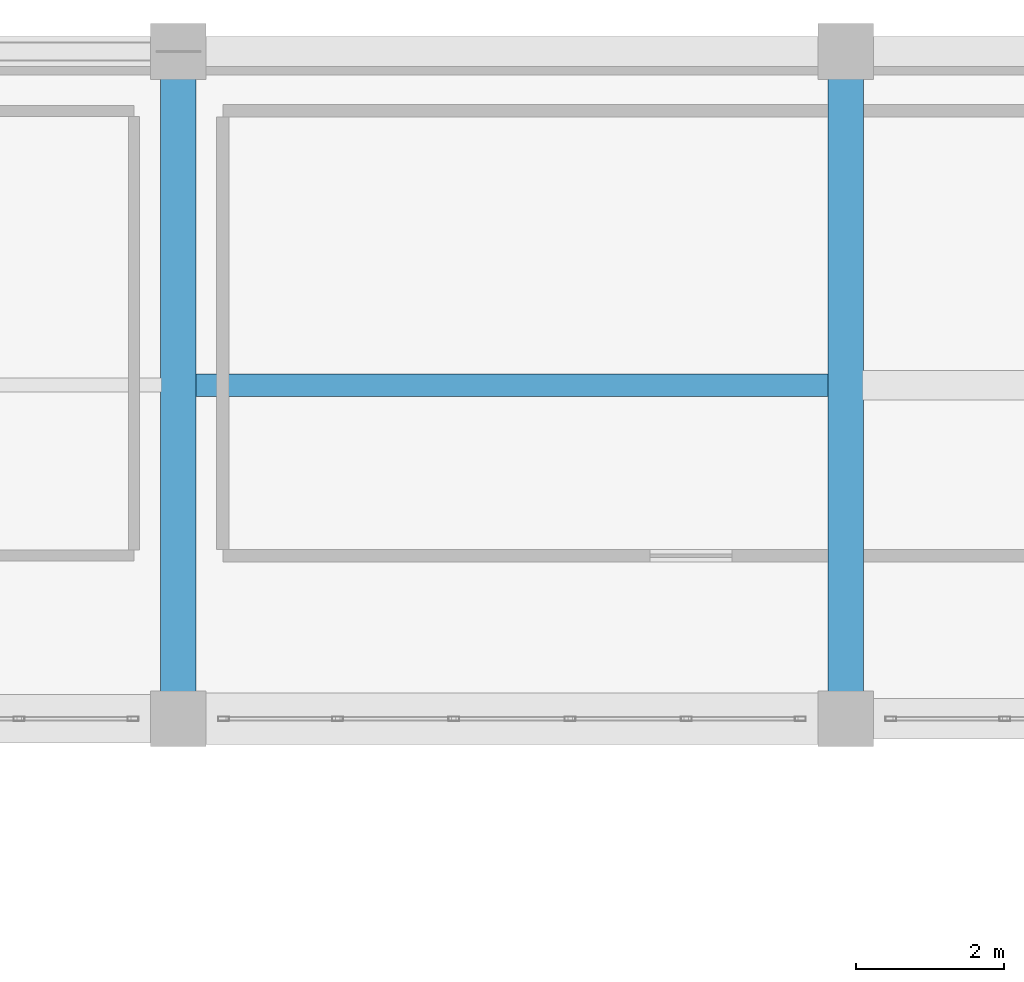
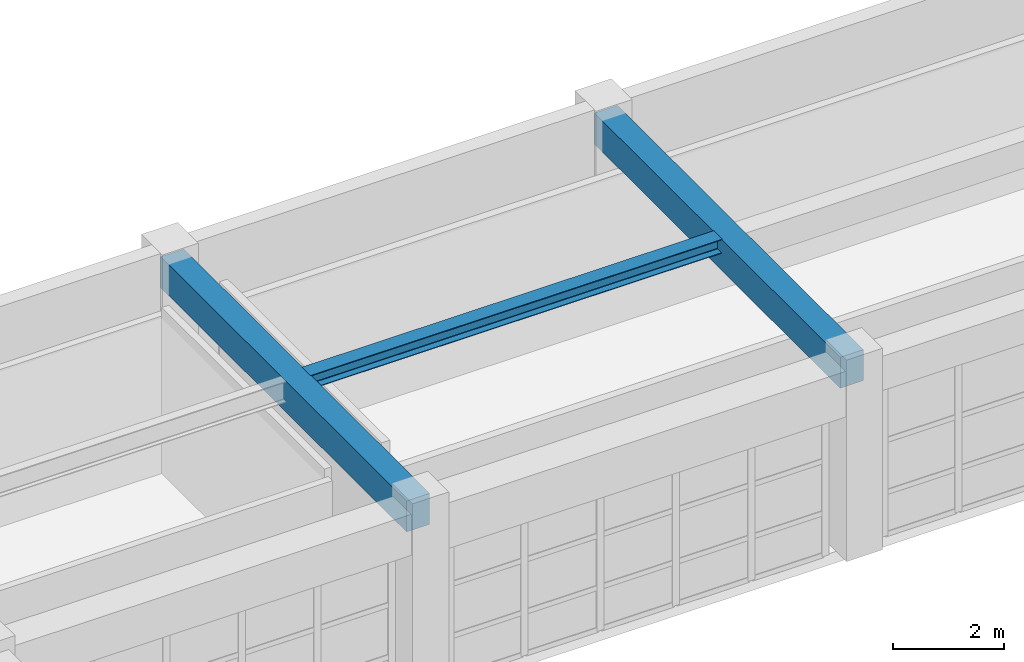
# One storey, part 69 of 133: 3 beams.
"""IFC4 building model written with IfcOpenShell, lengths in metres."""

from ifc_helpers import new_model, si_unit, direction, frame, origin, origin_2d, place, context, subcontext, project, spatial, rectangle, i_section, extrude, material, material_profile, profile_set, type_object, element, save


model = new_model("IFC4")

# Units and contexts
model_context = context("Model", 3, precision=1e-05, world=origin(), true_north=direction((0.0, 1.0)))
body_context = subcontext(model_context, "Body", "Model", "MODEL_VIEW")
ifc_project = project(units=[si_unit("LENGTHUNIT", "METRE"), si_unit("AREAUNIT", "SQUARE_METRE"), si_unit("VOLUMEUNIT", "CUBIC_METRE"), si_unit("PLANEANGLEUNIT", "RADIAN"), si_unit("MASSUNIT", "GRAM", prefix="KILO")], contexts=[model_context])

# Site, building, storey
site_placement = place(None, origin())
site = spatial("IfcSite", under=ifc_project, at=site_placement, CompositionType="ELEMENT")
building_placement = place(site_placement, origin())
building = spatial("IfcBuilding", under=site, at=building_placement, Name="Miravela Opera House", CompositionType="ELEMENT")
storey_placement = place(building_placement, frame((0.0, 0.0, 5.10009765625)))
storey = spatial("IfcBuildingStorey", under=building, at=storey_placement, Name="L01", CompositionType="ELEMENT", Elevation=5.10009765625)

# Beams
ifc_material_1 = material(Name="Concrete C35/45", Category="concrete")
ifc_material_profile_1 = material_profile(ifc_material_1, rectangle(XDim=0.47998046875, YDim=0.679931640625, at=origin_2d()), Name="RC-BM-480X680")
ifc_profile_set_1 = profile_set([ifc_material_profile_1])
beam_type_1 = type_object("IfcBeamType", Name="STR-BM-RC480X680", PredefinedType="BEAM", material=ifc_profile_set_1)
for number, where, z_axis, x_axis, name in (
    (1, (36.0, 103.080078125, 3.81982421875), (0.0, 1.0, 0.0), (-1.0, 0.0, 0.0), "Floor Girder L01 5/L-M"),
    (2, (45.0, 103.080078125, 3.81982421875), (0.0, 1.0, 0.0), (-1.0, 0.0, 0.0), "Floor Girder L01 6/L-M"),
):
    element("IfcBeam", number, at=place(storey_placement, frame(where, z_axis=z_axis, x_axis=x_axis)), inside=storey, type_object=beam_type_1, Name=name, PredefinedType="BEAM", context=body_context, shape_type="SweptSolid", body=[
        extrude(rectangle(XDim=0.47998046875, YDim=0.679931640625, at=origin_2d()), origin(), (0.0, 0.0, 1.0), 8.83984375),
    ])
ifc_material_2 = material(Name="Structural steel ASTM A992 Gr. 50", Category="steel")
ifc_material_profile_2 = material_profile(ifc_material_2, i_section(OverallWidth=0.304931640625, OverallDepth=0.30810546875, WebThickness=0.010009765625, FlangeThickness=0.015380859375, FilletRadius=0.013916015625, at=origin_2d()), Name="W310X97")
ifc_profile_set_2 = profile_set([ifc_material_profile_2])
beam_type_2 = type_object("IfcBeamType", Name="STR-BM-W310X97", PredefinedType="JOIST", material=ifc_profile_set_2)
beam_placement = place(storey_placement, frame((36.22509765625, 107.5, 4.005859375), z_axis=(1.0, 0.0, 0.0), x_axis=(0.0, 1.0, 0.0)))
element("IfcBeam", 3, at=beam_placement, inside=storey, type_object=beam_type_2, Name="Secondary Floor Joist L01 5-6/L-M", PredefinedType="JOIST", context=body_context, shape_type="SweptSolid", body=[
    extrude(i_section(OverallWidth=0.304931640625, OverallDepth=0.30810546875, WebThickness=0.010009765625, FlangeThickness=0.015380859375, FilletRadius=0.013916015625, at=origin_2d()), origin(), (0.0, 0.0, 1.0), 8.5498046875),
])

save(model, "model.ifc")
